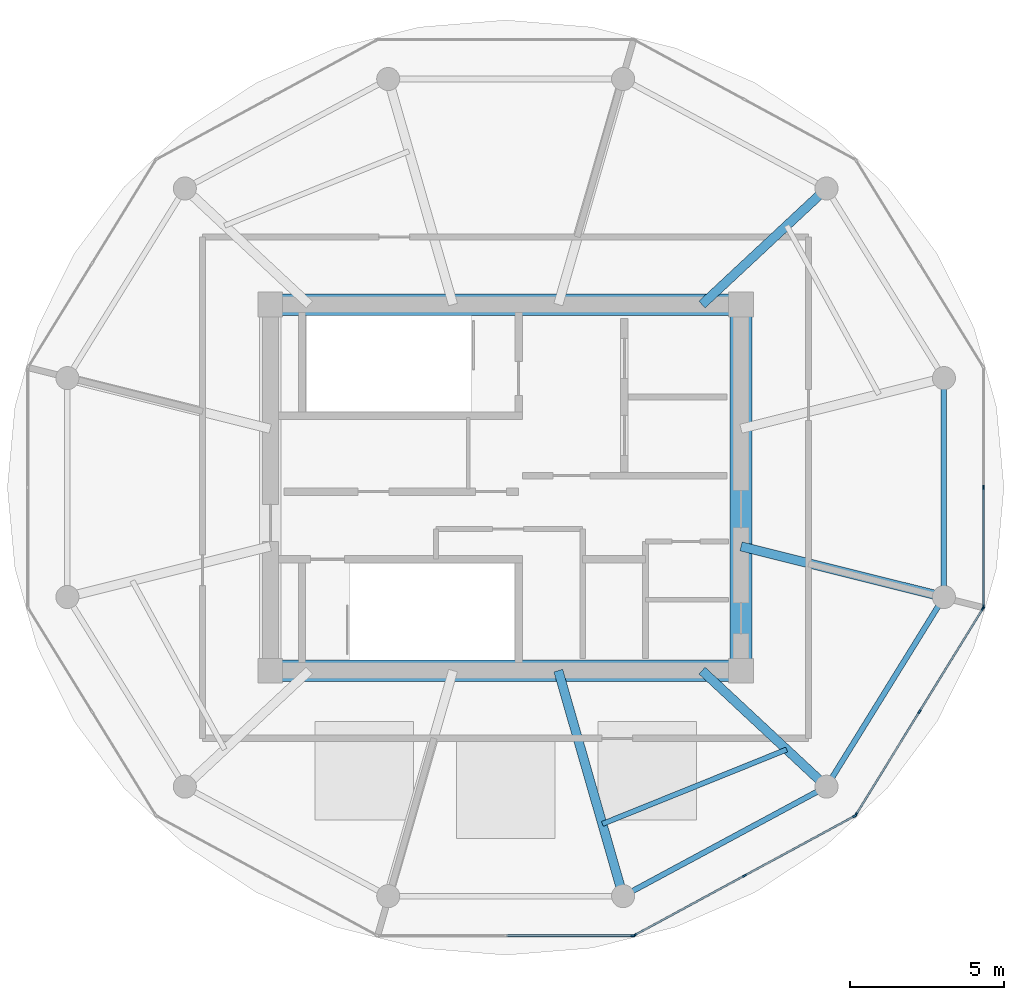
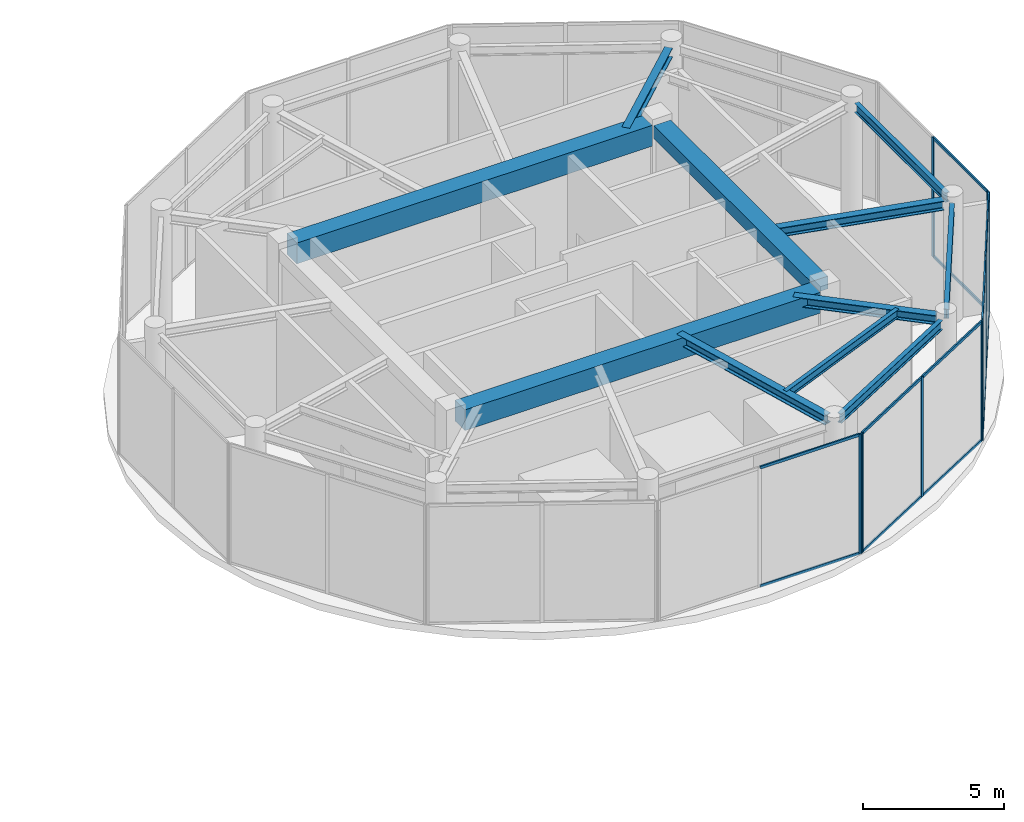
# One storey, part 7 of 15: 21 members, 11 beams, 4 elements without a shape of their own.
"""IFC4 building model written with IfcOpenShell, lengths in metres."""

from ifc_helpers import new_model, si_unit, direction, frame, origin, origin_2d, place, context, subcontext, project, spatial, rectangle, i_section, extrude, source, transform, mapped, material, layer, layer_set, material_profile, profile_set, type_object, type_shapes, element, aggregate, save


model = new_model("IFC4")

# Units and contexts
model_context = context("Model", 3, precision=1e-05, world=origin(), true_north=direction((0.0, 1.0)))
body_context = subcontext(model_context, "Body", "Model", "MODEL_VIEW")
ifc_project = project(units=[si_unit("LENGTHUNIT", "METRE"), si_unit("AREAUNIT", "SQUARE_METRE"), si_unit("VOLUMEUNIT", "CUBIC_METRE"), si_unit("PLANEANGLEUNIT", "RADIAN"), si_unit("MASSUNIT", "GRAM", prefix="KILO")], contexts=[model_context])

# Site, building, storey
site_placement = place(None, origin())
site = spatial("IfcSite", under=ifc_project, at=site_placement, CompositionType="ELEMENT")
building_placement = place(site_placement, origin())
building = spatial("IfcBuilding", under=site, at=building_placement, Name="Norrkilde Senior Care Towers", CompositionType="ELEMENT")
storey_placement = place(building_placement, frame((0.0, 0.0, 244.39990234375)))
storey = spatial("IfcBuildingStorey", under=building, at=storey_placement, Name="L76", CompositionType="ELEMENT", Elevation=244.39990234375)

# Beams
ifc_material_1 = material(Name="Concrete C60/75", Category="concrete")
ifc_material_profile_1 = material_profile(ifc_material_1, rectangle(XDim=0.699951171875, YDim=0.89990234375, at=origin_2d()), Name="RC BM 700x900")
ifc_profile_set_1 = profile_set([ifc_material_profile_1], Name="Concrete C60/75")
beam_type_1 = type_object("IfcBeamType", Name="Core Coupling Girder 700x900", PredefinedType="USERDEFINED", material=ifc_profile_set_1)
shared_shape_1 = source(origin(), body_context, "Body", "SweptSolid", [
    extrude(rectangle(XDim=0.699951171875, YDim=0.89990234375, at=origin_2d()), origin(), (0.0, 0.0, 1.0), 14.5400390625),
])
type_shapes(beam_type_1, [shared_shape_1])
for number, where, z_axis, x_axis, name in (
    (1, (20.72998046875, 5.949951171875, 4.72509765625), (1.0, 0.0, 0.0), (0.0, 1.0, 0.0), "L76 Core E N Coupling Girder"),
    (2, (20.72998046875, -5.949951171875, 4.72509765625), (1.0, 0.0, 0.0), (0.0, 1.0, 0.0), "L76 Core E S Coupling Girder"),
):
    element("IfcBeam", number, at=place(storey_placement, frame(where, z_axis=z_axis, x_axis=x_axis)), inside=storey, type_object=beam_type_1, Name=name, ObjectType="GIRDER", PredefinedType="USERDEFINED", context=body_context, shape_type="MappedRepresentation", body=[
        mapped(shared_shape_1, transform((0.0, 0.0, 0.0), x_axis=(1.0, 0.0, 0.0), y_axis=(0.0, 1.0, 0.0), z_axis=(0.0, 0.0, 1.0), scale=1.0)),
    ])
ifc_material_profile_2 = material_profile(ifc_material_1, rectangle(XDim=0.699951171875, YDim=0.550048828125, at=origin_2d()), Name="RC BM 700x550")
ifc_profile_set_2 = profile_set([ifc_material_profile_2], Name="Concrete C60/75")
beam_type_2 = type_object("IfcBeamType", Name="Core Portal Coupling Beam 700x550", PredefinedType="USERDEFINED", material=ifc_profile_set_2)
shared_shape_2 = source(origin(), body_context, "Body", "SweptSolid", [
    extrude(rectangle(XDim=0.699951171875, YDim=0.550048828125, at=origin_2d()), origin(), (0.0, 0.0, 1.0), 11.14013671875),
])
type_shapes(beam_type_2, [shared_shape_2])
beam_1_placement = place(storey_placement, frame((35.64990234375, -5.570068359375, 4.900146484375), z_axis=(0.0, 1.0, 0.0), x_axis=(-1.0, 0.0, 0.0)))
element("IfcBeam", 3, at=beam_1_placement, inside=storey, type_object=beam_type_2, Name="L76 Core E E Coupling Girder", ObjectType="GIRDER", PredefinedType="USERDEFINED", context=body_context, shape_type="MappedRepresentation", body=[
    mapped(shared_shape_2, transform((0.0, 0.0, 0.0), x_axis=(1.0, 0.0, 0.0), y_axis=(0.0, 1.0, 0.0), z_axis=(0.0, 0.0, 1.0), scale=1.0)),
])
ifc_material_2 = material(Name="Steel S355", Category="steel")
ifc_material_profile_3 = material_profile(ifc_material_2, i_section(OverallWidth=0.179931640625, OverallDepth=0.39990234375, WebThickness=0.008544921875, FlangeThickness=0.013427734375, FilletRadius=0.02099609375, at=origin_2d()), Name="IPE 400")
ifc_profile_set_3 = profile_set([ifc_material_profile_3], Name="Steel S355")
beam_type_3 = type_object("IfcBeamType", Name="Perimeter Ring Spandrel Z4 IPE400", PredefinedType="SPANDREL", material=ifc_profile_set_3)
shared_shape_3 = source(origin(), body_context, "Body", "SweptSolid", [
    extrude(i_section(OverallWidth=0.179931640625, OverallDepth=0.39990234375, WebThickness=0.008544921875, FlangeThickness=0.013427734375, FilletRadius=0.02099609375, at=origin_2d()), origin(), (0.0, 0.0, 1.0), 6.58056640625),
])
beam_2_placement = place(storey_placement, frame((38.606201171875, -9.43798828125, 4.97509765625), z_axis=(0.526529583789, 0.850156807533, 0.0), x_axis=(-0.850156807533, 0.526529583789, 0.0)))
element("IfcBeam", 4, at=beam_2_placement, inside=storey, type_object=beam_type_3, Name="L76 Drum E Perimeter Spandrel 11", PredefinedType="SPANDREL", context=body_context, shape_type="MappedRepresentation", body=[
    mapped(shared_shape_3, transform((0.0, 0.0, 0.0), x_axis=(1.0, 0.0, 0.0), y_axis=(0.0, 1.0, 0.0), z_axis=(0.0, 0.0, 1.0), scale=1.0)),
])
ifc_material_profile_4 = material_profile(ifc_material_2, i_section(OverallWidth=0.300048828125, OverallDepth=0.39990234375, WebThickness=0.013427734375, FlangeThickness=0.02392578125, FilletRadius=0.027099609375, at=origin_2d()), Name="HEB 400")
ifc_profile_set_4 = profile_set([ifc_material_profile_4], Name="Steel S355")
beam_type_4 = type_object("IfcBeamType", Name="Radial Floor Beam Z4 HEB400", PredefinedType="BEAM", material=ifc_profile_set_4)
shared_shape_4 = source(origin(), body_context, "Body", "SweptSolid", [
    extrude(i_section(OverallWidth=0.300048828125, OverallDepth=0.39990234375, WebThickness=0.013427734375, FlangeThickness=0.02392578125, FilletRadius=0.027099609375, at=origin_2d()), origin(), (0.0, 0.0, 1.0), 6.465087890625),
])
beam_3_placement = place(storey_placement, frame((35.64990234375, -1.910888671875, 4.97509765625), z_axis=(0.970195788563, -0.242322371758, 0.0), x_axis=(0.242322371758, 0.970195788563, 0.0)))
element("IfcBeam", 5, at=beam_3_placement, inside=storey, type_object=beam_type_4, Name="L76 Drum E Radial Floor Beam 12", PredefinedType="BEAM", context=body_context, shape_type="MappedRepresentation", body=[
    mapped(shared_shape_4, transform((0.0, 0.0, 0.0), x_axis=(1.0, 0.0, 0.0), y_axis=(0.0, 1.0, 0.0), z_axis=(0.0, 0.0, 1.0), scale=1.0)),
])
shared_shape_5 = source(origin(), body_context, "Body", "SweptSolid", [
    extrude(i_section(OverallWidth=0.179931640625, OverallDepth=0.39990234375, WebThickness=0.008544921875, FlangeThickness=0.013427734375, FilletRadius=0.02099609375, at=origin_2d()), origin(), (0.0, 0.0, 1.0), 6.839111328125),
])
beam_4_placement = place(storey_placement, frame((32.112548828125, -13.122802734375, 4.97509765625), z_axis=(0.880563930732, 0.473927382511, 0.0), x_axis=(-0.473927382511, 0.880563930732, 0.0)))
element("IfcBeam", 6, at=beam_4_placement, inside=storey, type_object=beam_type_3, Name="L76 Drum E Perimeter Spandrel 10", PredefinedType="SPANDREL", context=body_context, shape_type="MappedRepresentation", body=[
    mapped(shared_shape_5, transform((0.0, 0.0, 0.0), x_axis=(1.0, 0.0, 0.0), y_axis=(0.0, 1.0, 0.0), z_axis=(0.0, 0.0, 1.0), scale=1.0)),
])
shared_shape_6 = source(origin(), body_context, "Body", "SweptSolid", [
    extrude(i_section(OverallWidth=0.300048828125, OverallDepth=0.39990234375, WebThickness=0.013427734375, FlangeThickness=0.02392578125, FilletRadius=0.027099609375, at=origin_2d()), origin(), (0.0, 0.0, 1.0), 5.197998046875),
])
for number, where, z_axis, x_axis, name in (
    (7, (34.3828125, 5.949951171875, 4.97509765625), (0.731448749334, 0.681896419625, 0.0), (-0.681896419625, 0.731448749334, 0.0), "L76 Drum E Radial Floor Beam 02"),
    (8, (34.3828125, -5.949951171875, 4.97509765625), (0.731448749334, -0.681896419625, 0.0), (0.681896419625, 0.731448749334, 0.0), "L76 Drum E Radial Floor Beam 11"),
):
    element("IfcBeam", number, at=place(storey_placement, frame(where, z_axis=z_axis, x_axis=x_axis)), inside=storey, type_object=beam_type_4, Name=name, PredefinedType="BEAM", context=body_context, shape_type="MappedRepresentation", body=[
        mapped(shared_shape_6, transform((0.0, 0.0, 0.0), x_axis=(1.0, 0.0, 0.0), y_axis=(0.0, 1.0, 0.0), z_axis=(0.0, 0.0, 1.0), scale=1.0)),
    ])
shared_shape_7 = source(origin(), body_context, "Body", "SweptSolid", [
    extrude(i_section(OverallWidth=0.300048828125, OverallDepth=0.39990234375, WebThickness=0.013427734375, FlangeThickness=0.02392578125, FilletRadius=0.027099609375, at=origin_2d()), origin(), (0.0, 0.0, 1.0), 7.29345703125),
])
type_shapes(beam_type_4, [shared_shape_4, shared_shape_6, shared_shape_7])
beam_5_placement = place(storey_placement, frame((29.710205078125, -5.949951171875, 4.97509765625), z_axis=(0.276263751906, -0.961081858836, 0.0), x_axis=(0.961081858836, 0.276263751906, 0.0)))
element("IfcBeam", 9, at=beam_5_placement, inside=storey, type_object=beam_type_4, Name="L76 Drum E Radial Floor Beam 10", PredefinedType="BEAM", context=body_context, shape_type="MappedRepresentation", body=[
    mapped(shared_shape_7, transform((0.0, 0.0, 0.0), x_axis=(1.0, 0.0, 0.0), y_axis=(0.0, 1.0, 0.0), z_axis=(0.0, 0.0, 1.0), scale=1.0)),
])
shared_shape_8 = source(origin(), body_context, "Body", "SweptSolid", [
    extrude(i_section(OverallWidth=0.179931640625, OverallDepth=0.39990234375, WebThickness=0.008544921875, FlangeThickness=0.013427734375, FilletRadius=0.02099609375, at=origin_2d()), origin(), (0.0, 0.0, 1.0), 6.44775390625),
])
type_shapes(beam_type_3, [shared_shape_3, shared_shape_5, shared_shape_8])
beam_6_placement = place(storey_placement, frame((42.247314453125, -3.223876953125, 4.97509765625), z_axis=(0.0, 1.0, 0.0), x_axis=(-1.0, 0.0, 0.0)))
element("IfcBeam", 10, at=beam_6_placement, inside=storey, type_object=beam_type_3, Name="L76 Drum E Perimeter Spandrel 12", PredefinedType="SPANDREL", context=body_context, shape_type="MappedRepresentation", body=[
    mapped(shared_shape_8, transform((0.0, 0.0, 0.0), x_axis=(1.0, 0.0, 0.0), y_axis=(0.0, 1.0, 0.0), z_axis=(0.0, 0.0, 1.0), scale=1.0)),
])
ifc_material_profile_5 = material_profile(ifc_material_2, i_section(OverallWidth=0.169921875, OverallDepth=0.360107421875, WebThickness=0.008056640625, FlangeThickness=0.0126953125, FilletRadius=0.01806640625, at=origin_2d()), Name="IPE 360")
ifc_profile_set_5 = profile_set([ifc_material_profile_5], Name="Steel S355")
beam_type_5 = type_object("IfcBeamType", Name="Secondary Floor Joist IPE360", PredefinedType="JOIST", material=ifc_profile_set_5)
shared_shape_9 = source(origin(), body_context, "Body", "SweptSolid", [
    extrude(i_section(OverallWidth=0.169921875, OverallDepth=0.360107421875, WebThickness=0.008056640625, FlangeThickness=0.0126953125, FilletRadius=0.01806640625, at=origin_2d()), origin(), (0.0, 0.0, 1.0), 6.461669921875),
])
type_shapes(beam_type_5, [shared_shape_9])
beam_7_placement = place(storey_placement, frame((31.143310546875, -10.935302734375, 4.9951171875), z_axis=(0.927225942298, 0.374502405772, 0.0), x_axis=(-0.374502405772, 0.927225942298, 0.0)))
element("IfcBeam", 11, at=beam_7_placement, inside=storey, type_object=beam_type_5, Name="L76 Drum E Secondary Floor Joist 4", PredefinedType="JOIST", context=body_context, shape_type="MappedRepresentation", body=[
    mapped(shared_shape_9, transform((0.0, 0.0, 0.0), x_axis=(1.0, 0.0, 0.0), y_axis=(0.0, 1.0, 0.0), z_axis=(0.0, 0.0, 1.0), scale=1.0)),
])

# Curtain wall, member
ifc_material_3 = material(Name="Triple Low-E Insulated Glazing", Category="glass")
ifc_layer = layer(ifc_material_3, 0.205078125)
ifc_layer_set = layer_set([ifc_layer], Name="Triple Low-E Insulated Glazing")
curtain_wall_type = type_object("IfcCurtainWallType", Name="CW7 L76 Damper Lantern Clear Curtain Wall", PredefinedType="NOTDEFINED", material=ifc_layer_set)
curtain_wall_1_placement = place(storey_placement, origin())
curtain_wall_1 = element("IfcCurtainWall", 12, at=curtain_wall_1_placement, inside=storey, type_object=curtain_wall_type, Name="L76 Drum E Curtain Wall 08", PredefinedType="NOTDEFINED")
ifc_material_4 = material(Name="Anodised Aluminium", Category="aluminium")
ifc_material_profile_6 = material_profile(ifc_material_4, rectangle(XDim=0.06005859375, YDim=0.139892578125, at=origin_2d()), Name="ALU MULL 60x140")
ifc_profile_set_6 = profile_set([ifc_material_profile_6], Name="Anodised Aluminium")
member_type_1 = type_object("IfcMemberType", Name="Curtain Wall Mullion Lantern 60x140", PredefinedType="MULLION", material=ifc_profile_set_6)
shared_shape_10 = source(origin(), body_context, "Body", "SweptSolid", [
    extrude(rectangle(XDim=0.06005859375, YDim=0.139892578125, at=origin_2d()), origin(), (0.0, 0.0, 1.0), 5.175048828125),
])
type_shapes(member_type_1, [shared_shape_10])
member_1_placement = place(storey_placement, frame((32.1318359375, -14.566162109375, 0.0), z_axis=(0.0, 0.0, 1.0), x_axis=(0.0, -1.0, 0.0)))
member_1 = element("IfcMember", 13, at=member_1_placement, type_object=member_type_1, Name="CW-7 mullion 1", PredefinedType="MULLION", context=body_context, shape_type="MappedRepresentation", body=[
    mapped(shared_shape_10, transform((0.0, 0.0, 0.0), x_axis=(1.0, 0.0, 0.0), y_axis=(0.0, 1.0, 0.0), z_axis=(0.0, 0.0, 1.0), scale=1.0)),
])

# Curtain wall, members
curtain_wall_2_placement = place(storey_placement, origin())
curtain_wall_2 = element("IfcCurtainWall", 14, at=curtain_wall_2_placement, inside=storey, type_object=curtain_wall_type, Name="L76 Drum E Curtain Wall 09", PredefinedType="NOTDEFINED")
member_2_placement = place(storey_placement, frame((39.343994140625, -10.677490234375, 0.0), z_axis=(0.0, 0.0, 1.0), x_axis=(0.476132676136, -0.879373455772, 0.0)))
member_2 = element("IfcMember", 15, at=member_2_placement, type_object=member_type_1, Name="CW-7 mullion 1", PredefinedType="MULLION", context=body_context, shape_type="MappedRepresentation", body=[
    mapped(shared_shape_10, transform((0.0, 0.0, 0.0), x_axis=(1.0, 0.0, 0.0), y_axis=(0.0, 1.0, 0.0), z_axis=(0.0, 0.0, 1.0), scale=1.0)),
])
member_3_placement = place(storey_placement, frame((35.76611328125, -12.61474609375, 0.0), z_axis=(0.0, 0.0, 1.0), x_axis=(0.476132676136, -0.879373455772, 0.0)))
member_3 = element("IfcMember", 16, at=member_3_placement, type_object=member_type_1, Name="CW-7 mullion 2", PredefinedType="MULLION", context=body_context, shape_type="MappedRepresentation", body=[
    mapped(shared_shape_10, transform((0.0, 0.0, 0.0), x_axis=(1.0, 0.0, 0.0), y_axis=(0.0, 1.0, 0.0), z_axis=(0.0, 0.0, 1.0), scale=1.0)),
])
member_4_placement = place(storey_placement, frame((32.188232421875, -14.5517578125, 0.0), z_axis=(0.0, 0.0, 1.0), x_axis=(0.476132676136, -0.879373455772, 0.0)))
member_4 = element("IfcMember", 17, at=member_4_placement, type_object=member_type_1, Name="CW-7 mullion 3", PredefinedType="MULLION", context=body_context, shape_type="MappedRepresentation", body=[
    mapped(shared_shape_10, transform((0.0, 0.0, 0.0), x_axis=(1.0, 0.0, 0.0), y_axis=(0.0, 1.0, 0.0), z_axis=(0.0, 0.0, 1.0), scale=1.0)),
])

curtain_wall_3_placement = place(storey_placement, origin())
curtain_wall_3 = element("IfcCurtainWall", 18, at=curtain_wall_3_placement, inside=storey, type_object=curtain_wall_type, Name="L76 Drum E Curtain Wall 10", PredefinedType="NOTDEFINED")
member_5_placement = place(storey_placement, frame((43.516357421875, -3.928466796875, 0.0), z_axis=(0.0, 0.0, 1.0), x_axis=(0.851562727283, -0.524252726748, 0.0)))
member_5 = element("IfcMember", 19, at=member_5_placement, type_object=member_type_1, Name="CW-7 mullion 1", PredefinedType="MULLION", context=body_context, shape_type="MappedRepresentation", body=[
    mapped(shared_shape_10, transform((0.0, 0.0, 0.0), x_axis=(1.0, 0.0, 0.0), y_axis=(0.0, 1.0, 0.0), z_axis=(0.0, 0.0, 1.0), scale=1.0)),
])
member_6_placement = place(storey_placement, frame((41.451171875, -7.282958984375, 0.0), z_axis=(0.0, 0.0, 1.0), x_axis=(0.851562727283, -0.524252726748, 0.0)))
member_6 = element("IfcMember", 20, at=member_6_placement, type_object=member_type_1, Name="CW-7 mullion 2", PredefinedType="MULLION", context=body_context, shape_type="MappedRepresentation", body=[
    mapped(shared_shape_10, transform((0.0, 0.0, 0.0), x_axis=(1.0, 0.0, 0.0), y_axis=(0.0, 1.0, 0.0), z_axis=(0.0, 0.0, 1.0), scale=1.0)),
])
member_7_placement = place(storey_placement, frame((39.385986328125, -10.6376953125, 0.0), z_axis=(0.0, 0.0, 1.0), x_axis=(0.851562727283, -0.524252726748, 0.0)))
member_7 = element("IfcMember", 21, at=member_7_placement, type_object=member_type_1, Name="CW-7 mullion 3", PredefinedType="MULLION", context=body_context, shape_type="MappedRepresentation", body=[
    mapped(shared_shape_10, transform((0.0, 0.0, 0.0), x_axis=(1.0, 0.0, 0.0), y_axis=(0.0, 1.0, 0.0), z_axis=(0.0, 0.0, 1.0), scale=1.0)),
])

curtain_wall_4_placement = place(storey_placement, origin())
curtain_wall_4 = element("IfcCurtainWall", 22, at=curtain_wall_4_placement, inside=storey, type_object=curtain_wall_type, Name="L76 Drum E Curtain Wall 11", PredefinedType="NOTDEFINED")
member_8_placement = place(storey_placement, frame((43.531982421875, 0.0, 0.0), z_axis=(0.0, 0.0, 1.0), x_axis=(1.0, 0.0, 0.0)))
member_8 = element("IfcMember", 23, at=member_8_placement, type_object=member_type_1, Name="CW-7 mullion 2", PredefinedType="MULLION", context=body_context, shape_type="MappedRepresentation", body=[
    mapped(shared_shape_10, transform((0.0, 0.0, 0.0), x_axis=(1.0, 0.0, 0.0), y_axis=(0.0, 1.0, 0.0), z_axis=(0.0, 0.0, 1.0), scale=1.0)),
])
member_9_placement = place(storey_placement, frame((43.531982421875, -3.873046875, 0.0), z_axis=(0.0, 0.0, 1.0), x_axis=(1.0, 0.0, 0.0)))
member_9 = element("IfcMember", 24, at=member_9_placement, type_object=member_type_1, Name="CW-7 mullion 3", PredefinedType="MULLION", context=body_context, shape_type="MappedRepresentation", body=[
    mapped(shared_shape_10, transform((0.0, 0.0, 0.0), x_axis=(1.0, 0.0, 0.0), y_axis=(0.0, 1.0, 0.0), z_axis=(0.0, 0.0, 1.0), scale=1.0)),
])

# Member
ifc_material_profile_7 = material_profile(ifc_material_4, rectangle(XDim=0.06005859375, YDim=0.1201171875, at=origin_2d()), Name="ALU TRAN 60x120")
ifc_profile_set_7 = profile_set([ifc_material_profile_7], Name="Anodised Aluminium")
member_type_2 = type_object("IfcMemberType", Name="Curtain Wall Transom Typical 60x120", PredefinedType="USERDEFINED", material=ifc_profile_set_7)
shared_shape_11 = source(origin(), body_context, "Body", "SweptSolid", [
    extrude(rectangle(XDim=0.06005859375, YDim=0.1201171875, at=origin_2d()), origin(), (0.0, 0.0, 1.0), 3.87939453125),
])
member_10_placement = place(storey_placement, frame((43.500732421875, -3.9541015625, 0.030029296875), z_axis=(-0.524290531189, -0.851539452348, 0.0), x_axis=(0.851539452348, -0.524290531189, 0.0)))
member_10 = element("IfcMember", 25, at=member_10_placement, type_object=member_type_2, Name="CW-7 transom 1.1", ObjectType="TRANSOM", PredefinedType="USERDEFINED", context=body_context, shape_type="MappedRepresentation", body=[
    mapped(shared_shape_11, transform((0.0, 0.0, 0.0), x_axis=(1.0, 0.0, 0.0), y_axis=(0.0, 1.0, 0.0), z_axis=(0.0, 0.0, 1.0), scale=1.0)),
])

member_11_placement = place(storey_placement, frame((43.500732421875, -3.9541015625, 5.14501953125), z_axis=(-0.524290531189, -0.851539452348, 0.0), x_axis=(0.851539452348, -0.524290531189, 0.0)))
member_11 = element("IfcMember", 26, at=member_11_placement, type_object=member_type_2, Name="CW-7 transom 1.2", ObjectType="TRANSOM", PredefinedType="USERDEFINED", context=body_context, shape_type="MappedRepresentation", body=[
    mapped(shared_shape_11, transform((0.0, 0.0, 0.0), x_axis=(1.0, 0.0, 0.0), y_axis=(0.0, 1.0, 0.0), z_axis=(0.0, 0.0, 1.0), scale=1.0)),
])

member_12_placement = place(storey_placement, frame((41.435546875, -7.30859375, 0.030029296875), z_axis=(-0.524290531189, -0.851539452348, 0.0), x_axis=(0.851539452348, -0.524290531189, 0.0)))
member_12 = element("IfcMember", 27, at=member_12_placement, type_object=member_type_2, Name="CW-7 transom 2.1", ObjectType="TRANSOM", PredefinedType="USERDEFINED", context=body_context, shape_type="MappedRepresentation", body=[
    mapped(shared_shape_11, transform((0.0, 0.0, 0.0), x_axis=(1.0, 0.0, 0.0), y_axis=(0.0, 1.0, 0.0), z_axis=(0.0, 0.0, 1.0), scale=1.0)),
])

member_13_placement = place(storey_placement, frame((41.435546875, -7.30859375, 5.14501953125), z_axis=(-0.524290531189, -0.851539452348, 0.0), x_axis=(0.851539452348, -0.524290531189, 0.0)))
member_13 = element("IfcMember", 28, at=member_13_placement, type_object=member_type_2, Name="CW-7 transom 2.2", ObjectType="TRANSOM", PredefinedType="USERDEFINED", context=body_context, shape_type="MappedRepresentation", body=[
    mapped(shared_shape_11, transform((0.0, 0.0, 0.0), x_axis=(1.0, 0.0, 0.0), y_axis=(0.0, 1.0, 0.0), z_axis=(0.0, 0.0, 1.0), scale=1.0)),
])

aggregate(curtain_wall_3, [member_5, member_6, member_7, member_10, member_11, member_12, member_13])

shared_shape_12 = source(origin(), body_context, "Body", "SweptSolid", [
    extrude(rectangle(XDim=0.06005859375, YDim=0.1201171875, at=origin_2d()), origin(), (0.0, 0.0, 1.0), 4.0087890625),
])
member_14_placement = place(storey_placement, frame((39.317626953125, -10.691650390625, 0.030029296875), z_axis=(-0.87937165888, -0.476135994815, 0.0), x_axis=(0.476135994815, -0.87937165888, 0.0)))
member_14 = element("IfcMember", 29, at=member_14_placement, type_object=member_type_2, Name="CW-7 transom 1.1", ObjectType="TRANSOM", PredefinedType="USERDEFINED", context=body_context, shape_type="MappedRepresentation", body=[
    mapped(shared_shape_12, transform((0.0, 0.0, 0.0), x_axis=(1.0, 0.0, 0.0), y_axis=(0.0, 1.0, 0.0), z_axis=(0.0, 0.0, 1.0), scale=1.0)),
])

member_15_placement = place(storey_placement, frame((39.317626953125, -10.691650390625, 5.14501953125), z_axis=(-0.87937165888, -0.476135994815, 0.0), x_axis=(0.476135994815, -0.87937165888, 0.0)))
member_15 = element("IfcMember", 30, at=member_15_placement, type_object=member_type_2, Name="CW-7 transom 1.2", ObjectType="TRANSOM", PredefinedType="USERDEFINED", context=body_context, shape_type="MappedRepresentation", body=[
    mapped(shared_shape_12, transform((0.0, 0.0, 0.0), x_axis=(1.0, 0.0, 0.0), y_axis=(0.0, 1.0, 0.0), z_axis=(0.0, 0.0, 1.0), scale=1.0)),
])

member_16_placement = place(storey_placement, frame((35.73974609375, -12.62890625, 0.030029296875), z_axis=(-0.87937165888, -0.476135994815, 0.0), x_axis=(0.476135994815, -0.87937165888, 0.0)))
member_16 = element("IfcMember", 31, at=member_16_placement, type_object=member_type_2, Name="CW-7 transom 2.1", ObjectType="TRANSOM", PredefinedType="USERDEFINED", context=body_context, shape_type="MappedRepresentation", body=[
    mapped(shared_shape_12, transform((0.0, 0.0, 0.0), x_axis=(1.0, 0.0, 0.0), y_axis=(0.0, 1.0, 0.0), z_axis=(0.0, 0.0, 1.0), scale=1.0)),
])

member_17_placement = place(storey_placement, frame((35.73974609375, -12.62890625, 5.14501953125), z_axis=(-0.87937165888, -0.476135994815, 0.0), x_axis=(0.476135994815, -0.87937165888, 0.0)))
member_17 = element("IfcMember", 32, at=member_17_placement, type_object=member_type_2, Name="CW-7 transom 2.2", ObjectType="TRANSOM", PredefinedType="USERDEFINED", context=body_context, shape_type="MappedRepresentation", body=[
    mapped(shared_shape_12, transform((0.0, 0.0, 0.0), x_axis=(1.0, 0.0, 0.0), y_axis=(0.0, 1.0, 0.0), z_axis=(0.0, 0.0, 1.0), scale=1.0)),
])

aggregate(curtain_wall_2, [member_2, member_3, member_4, member_14, member_15, member_16, member_17])

shared_shape_13 = source(origin(), body_context, "Body", "SweptSolid", [
    extrude(rectangle(XDim=0.06005859375, YDim=0.1201171875, at=origin_2d()), origin(), (0.0, 0.0, 1.0), 4.07177734375),
])
member_18_placement = place(storey_placement, frame((32.101806640625, -14.566162109375, 0.030029296875), z_axis=(-1.0, 0.0, 0.0), x_axis=(0.0, -1.0, 0.0)))
member_18 = element("IfcMember", 33, at=member_18_placement, type_object=member_type_2, Name="CW-7 transom 1.1", ObjectType="TRANSOM", PredefinedType="USERDEFINED", context=body_context, shape_type="MappedRepresentation", body=[
    mapped(shared_shape_13, transform((0.0, 0.0, 0.0), x_axis=(1.0, 0.0, 0.0), y_axis=(0.0, 1.0, 0.0), z_axis=(0.0, 0.0, 1.0), scale=1.0)),
])

member_19_placement = place(storey_placement, frame((32.101806640625, -14.566162109375, 5.14501953125), z_axis=(-1.0, 0.0, 0.0), x_axis=(0.0, -1.0, 0.0)))
member_19 = element("IfcMember", 34, at=member_19_placement, type_object=member_type_2, Name="CW-7 transom 1.2", ObjectType="TRANSOM", PredefinedType="USERDEFINED", context=body_context, shape_type="MappedRepresentation", body=[
    mapped(shared_shape_13, transform((0.0, 0.0, 0.0), x_axis=(1.0, 0.0, 0.0), y_axis=(0.0, 1.0, 0.0), z_axis=(0.0, 0.0, 1.0), scale=1.0)),
])

aggregate(curtain_wall_1, [member_1, member_18, member_19])

shared_shape_14 = source(origin(), body_context, "Body", "SweptSolid", [
    extrude(rectangle(XDim=0.06005859375, YDim=0.1201171875, at=origin_2d()), origin(), (0.0, 0.0, 1.0), 3.81298828125),
])
type_shapes(member_type_2, [shared_shape_11, shared_shape_12, shared_shape_13, shared_shape_14])
member_20_placement = place(storey_placement, frame((43.531982421875, -0.030029296875, 0.030029296875), z_axis=(0.0, -1.0, 0.0), x_axis=(1.0, 0.0, 0.0)))
member_20 = element("IfcMember", 35, at=member_20_placement, type_object=member_type_2, Name="CW-7 transom 2.1", ObjectType="TRANSOM", PredefinedType="USERDEFINED", context=body_context, shape_type="MappedRepresentation", body=[
    mapped(shared_shape_14, transform((0.0, 0.0, 0.0), x_axis=(1.0, 0.0, 0.0), y_axis=(0.0, 1.0, 0.0), z_axis=(0.0, 0.0, 1.0), scale=1.0)),
])

member_21_placement = place(storey_placement, frame((43.531982421875, -0.030029296875, 5.14501953125), z_axis=(0.0, -1.0, 0.0), x_axis=(1.0, 0.0, 0.0)))
member_21 = element("IfcMember", 36, at=member_21_placement, type_object=member_type_2, Name="CW-7 transom 2.2", ObjectType="TRANSOM", PredefinedType="USERDEFINED", context=body_context, shape_type="MappedRepresentation", body=[
    mapped(shared_shape_14, transform((0.0, 0.0, 0.0), x_axis=(1.0, 0.0, 0.0), y_axis=(0.0, 1.0, 0.0), z_axis=(0.0, 0.0, 1.0), scale=1.0)),
])

aggregate(curtain_wall_4, [member_8, member_9, member_20, member_21])

save(model, "model.ifc")
